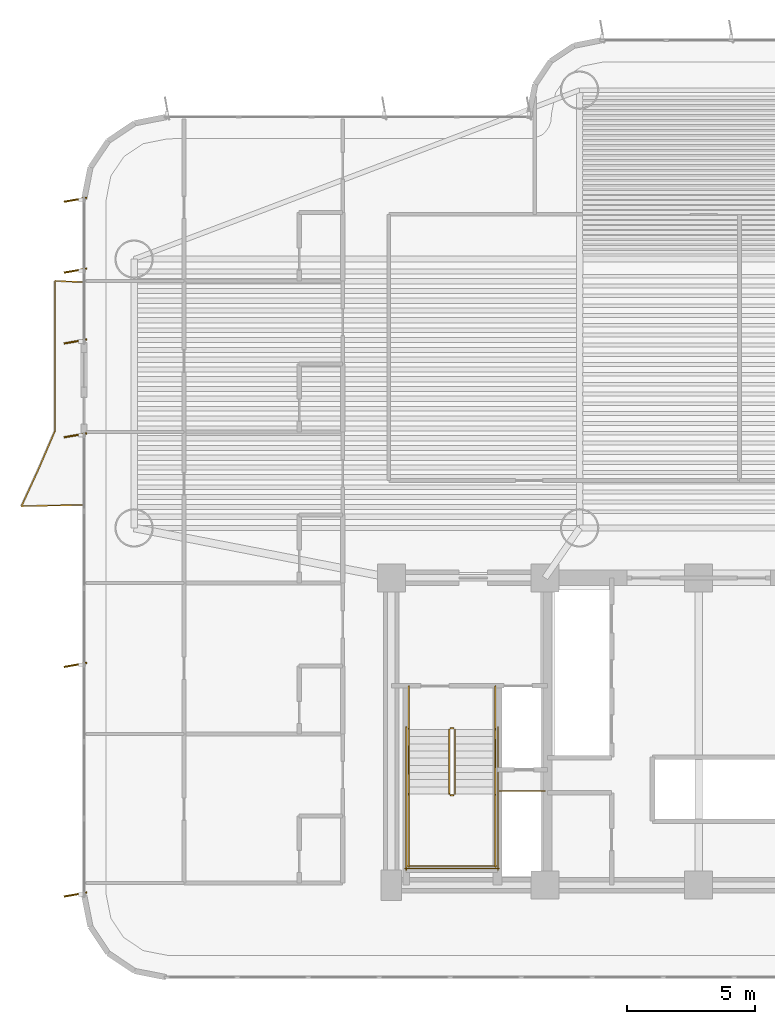
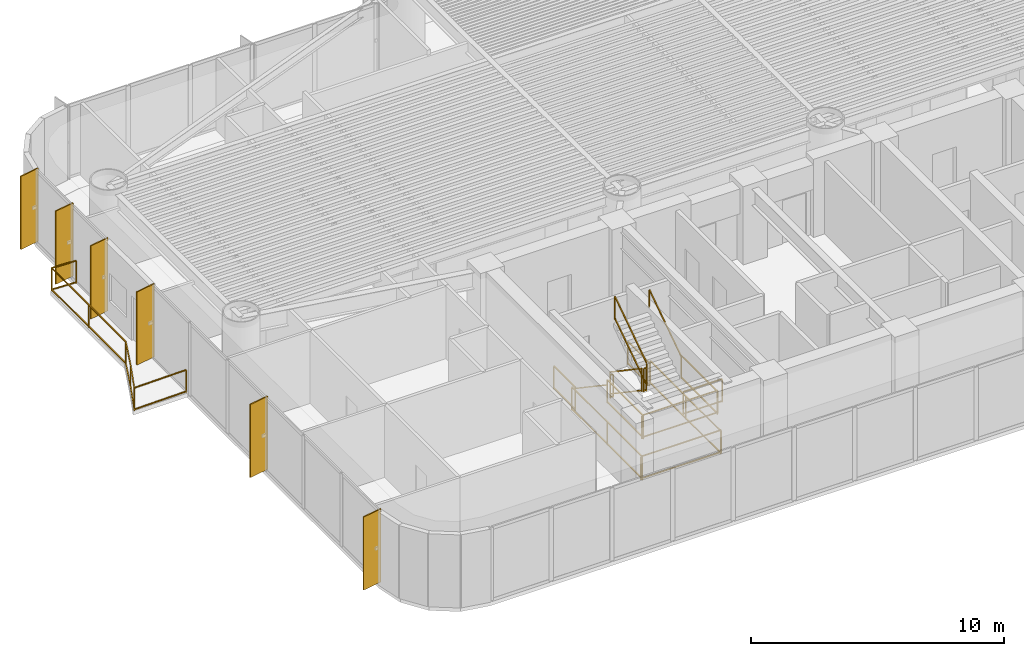
# One storey, part 15 of 18: 16 railings, 6 shading devices.
"""IFC4 building model written with IfcOpenShell, lengths in metres."""

from ifc_helpers import new_model, si_unit, direction, frame, origin, origin_2d, place, context, subcontext, project, spatial, rectangle, extrude, source, transform, mapped, material, layer, layer_set, material_profile, profile_set, type_object, element, save


model = new_model("IFC4")

# Units and contexts
model_context = context("Model", 3, precision=1e-05, world=origin(), true_north=direction((0.0, 1.0)))
body_context = subcontext(model_context, "Body", "Model", "MODEL_VIEW")
ifc_project = project(units=[si_unit("LENGTHUNIT", "METRE"), si_unit("AREAUNIT", "SQUARE_METRE"), si_unit("VOLUMEUNIT", "CUBIC_METRE"), si_unit("PLANEANGLEUNIT", "RADIAN"), si_unit("MASSUNIT", "GRAM", prefix="KILO")], contexts=[model_context])

# Site, building, storey
site_placement = place(None, origin())
site = spatial("IfcSite", under=ifc_project, at=site_placement, CompositionType="ELEMENT")
building_placement = place(site_placement, origin())
building = spatial("IfcBuilding", under=site, at=building_placement, Name="Brelvock Crest Care Tower", CompositionType="ELEMENT")
storey_placement = place(building_placement, frame((0.0, 0.0, 38.340087890625)))
storey = spatial("IfcBuildingStorey", under=building, at=storey_placement, Name="L09", CompositionType="ELEMENT", Elevation=38.340087890625)

# Railings
ifc_material_1 = material(Name="Dark Glass Double Glazed Low-E", Category="glass")
ifc_layer_1 = layer(ifc_material_1, 0.06005859375, Name="RL-BAL1")
ifc_layer_set_1 = layer_set([ifc_layer_1], Name="Dark Glass Double Glazed Low-E")
railing_type_1 = type_object("IfcRailingType", Name="RL-BAL1", PredefinedType="BALUSTRADE", material=ifc_layer_set_1)
railing_1_placement = place(storey_placement, frame((11.9599609375, 20.85009765625, 0.00390625)))
element("IfcRailing", 1, at=railing_1_placement, inside=storey, type_object=railing_type_1, Name="L09 Safety Balustrade WB-W", PredefinedType="BALUSTRADE", context=body_context, shape_type="SweptSolid", body=[
    extrude(rectangle(XDim=0.048095703125, YDim=0.048095703125, at=origin_2d()), frame((-0.001953125, 0.0, 1.09619140625), z_axis=(-0.999783452903, -0.020809788592, 0.0), x_axis=(0.020809788592, -0.999783452903, 0.0)), (0.0, 0.0, 1.0), 2.401123046875),
    extrude(rectangle(XDim=0.048095703125, YDim=0.048095703125, at=origin_2d()), frame((-0.001953125, 0.0, 0.054931640625), z_axis=(-0.999783452903, -0.020809788592, 0.0), x_axis=(0.020809788592, -0.999783452903, 0.0)), (0.0, 0.0, 1.0), 2.401123046875),
    extrude(rectangle(XDim=0.048095703125, YDim=0.048095703125, at=origin_2d()), frame((-2.40380859375, -0.04833984375, 1.09619140625), z_axis=(0.417503547282, 0.908675292944, 0.0), x_axis=(-0.908675292944, 0.417503547282, 0.0)), (0.0, 0.0, 1.0), 1.60986328125),
    extrude(rectangle(XDim=0.048095703125, YDim=0.048095703125, at=origin_2d()), frame((-2.40380859375, -0.04833984375, 0.054931640625), z_axis=(0.417503547282, 0.908675292944, 0.0), x_axis=(-0.908675292944, 0.417503547282, 0.0)), (0.0, 0.0, 1.0), 1.60986328125),
    extrude(rectangle(XDim=0.048095703125, YDim=0.048095703125, at=origin_2d()), frame((-1.72998046875, 1.41845703125, 1.09619140625), z_axis=(0.395100013248, 0.918638111299, 0.0), x_axis=(-0.918638111299, 0.395100013248, 0.0)), (0.0, 0.0, 1.0), 1.5927734375),
    extrude(rectangle(XDim=0.048095703125, YDim=0.048095703125, at=origin_2d()), frame((-1.72998046875, 1.41845703125, 0.054931640625), z_axis=(0.395100013248, 0.918638111299, 0.0), x_axis=(-0.918638111299, 0.395100013248, 0.0)), (0.0, 0.0, 1.0), 1.5927734375),
    extrude(rectangle(XDim=0.048095703125, YDim=0.048095703125, at=origin_2d()), frame((-1.099853515625, 2.88525390625, 1.09619140625), z_axis=(0.0, 1.0, 0.0), x_axis=(-1.0, 0.0, 0.0)), (0.0, 0.0, 1.0), 5.86279296875),
    extrude(rectangle(XDim=0.048095703125, YDim=0.048095703125, at=origin_2d()), frame((-1.099853515625, 2.88525390625, 0.054931640625), z_axis=(0.0, 1.0, 0.0), x_axis=(-1.0, 0.0, 0.0)), (0.0, 0.0, 1.0), 5.86279296875),
    extrude(rectangle(XDim=0.048095703125, YDim=0.048095703125, at=origin_2d()), frame((-1.097900390625, 8.75, 1.09619140625), z_axis=(0.998966252902, -0.045457953795, 0.0), x_axis=(0.045457953795, 0.998966252902, 0.0)), (0.0, 0.0, 1.0), 1.096923828125),
    extrude(rectangle(XDim=0.048095703125, YDim=0.048095703125, at=origin_2d()), frame((-1.097900390625, 8.75, 0.054931640625), z_axis=(0.998966252902, -0.045457953795, 0.0), x_axis=(0.045457953795, 0.998966252902, 0.0)), (0.0, 0.0, 1.0), 1.096923828125),
    extrude(rectangle(XDim=0.0419921875, YDim=0.0419921875, at=origin_2d()), origin(), (0.0, 0.0, 1.0), 1.070068359375),
    extrude(rectangle(XDim=0.0419921875, YDim=0.0419921875, at=origin_2d()), frame((-2.404541015625, -0.050048828125, 0.0)), (0.0, 0.0, 1.0), 1.070068359375),
    extrude(rectangle(XDim=0.0419921875, YDim=0.0419921875, at=origin_2d()), frame((-1.730712890625, 1.41650390625, 0.0)), (0.0, 0.0, 1.0), 1.070068359375),
    extrude(rectangle(XDim=0.0419921875, YDim=0.0419921875, at=origin_2d()), frame((-1.099853515625, 2.88330078125, 0.0)), (0.0, 0.0, 1.0), 1.070068359375),
    extrude(rectangle(XDim=0.0419921875, YDim=0.0419921875, at=origin_2d()), frame((-1.099853515625, 5.816650390625, 0.0)), (0.0, 0.0, 1.0), 1.070068359375),
    extrude(rectangle(XDim=0.0419921875, YDim=0.0419921875, at=origin_2d()), frame((-1.099853515625, 8.75, 0.0)), (0.0, 0.0, 1.0), 1.070068359375),
    extrude(rectangle(XDim=0.0419921875, YDim=0.0419921875, at=origin_2d()), frame((0.0, 8.699951171875, 0.0)), (0.0, 0.0, 1.0), 1.070068359375),
])
ifc_material_2 = material(Name="Steel Grade 350", Category="steel")
ifc_layer_2 = layer(ifc_material_2, 0.050048828125, Name="RL-STG1")
ifc_layer_set_2 = layer_set([ifc_layer_2], Name="Steel Grade 350")
railing_type_2 = type_object("IfcRailingType", Name="RL-STG1", PredefinedType="GUARDRAIL", material=ifc_layer_set_2)
railing_2_placement = place(storey_placement, frame((26.260009765625, 12.080078125, 0.18896484375)))
element("IfcRailing", 2, at=railing_2_placement, inside=storey, type_object=railing_type_2, Name="L09 ST-1 stair guard 1", PredefinedType="GUARDRAIL", context=body_context, shape_type="SweptSolid", body=[
    extrude(rectangle(XDim=0.048095703125, YDim=0.048095703125, at=origin_2d()), frame((0.0, -0.001708984375, 1.116943359375), z_axis=(0.0, -0.828861706735, 0.559453546873), x_axis=(1.0, 0.0, 0.0)), (0.0, 0.0, 1.0), 3.036376953125),
    extrude(rectangle(XDim=0.048095703125, YDim=0.048095703125, at=origin_2d()), frame((0.0, -0.001708984375, 0.05615234375), z_axis=(0.0, -0.828861706735, 0.559453546873), x_axis=(1.0, 0.0, 0.0)), (0.0, 0.0, 1.0), 3.036376953125),
    extrude(rectangle(XDim=0.0419921875, YDim=0.0419921875, at=origin_2d()), origin(), (0.0, 0.0, 1.0), 1.08984375),
    extrude(rectangle(XDim=0.0419921875, YDim=0.0419921875, at=origin_2d()), frame((0.0, -2.52001953125, 1.700927734375)), (0.0, 0.0, 1.0), 1.08984375),
])
railing_3_placement = place(storey_placement, frame((26.31005859375, 9.510009765625, 1.889892578125)))
element("IfcRailing", 3, at=railing_3_placement, inside=storey, type_object=railing_type_2, Name="L09 ST-1 stair guard 2", PredefinedType="GUARDRAIL", context=body_context, shape_type="SweptSolid", body=[
    extrude(rectangle(XDim=0.048095703125, YDim=0.048095703125, at=origin_2d()), frame((0.001953125, 0.0, 1.11572265625), z_axis=(1.0, 0.0, 0.0), x_axis=(0.0, 1.0, 0.0)), (0.0, 0.0, 1.0), 0.115966796875),
    extrude(rectangle(XDim=0.048095703125, YDim=0.048095703125, at=origin_2d()), frame((0.001953125, 0.0, 0.054931640625), z_axis=(1.0, 0.0, 0.0), x_axis=(0.0, 1.0, 0.0)), (0.0, 0.0, 1.0), 0.115966796875),
    extrude(rectangle(XDim=0.0419921875, YDim=0.0419921875, at=origin_2d()), origin(), (0.0, 0.0, 1.0), 1.08984375),
    extrude(rectangle(XDim=0.0419921875, YDim=0.0419921875, at=origin_2d()), frame((0.119873046875, 0.0, 0.0)), (0.0, 0.0, 1.0), 1.08984375),
])
for number, where, name in (
    (4, (24.679931640625, 9.56005859375, 1.889892578125), "L09 ST-1 stair guard 3"),
    (5, (28.06005859375, 9.56005859375, 1.889892578125), "L09 ST-1 stair guard 4"),
):
    element("IfcRailing", number, at=place(storey_placement, frame(where)), inside=storey, type_object=railing_type_2, Name=name, PredefinedType="GUARDRAIL", context=body_context, shape_type="SweptSolid", body=[
        extrude(rectangle(XDim=0.048095703125, YDim=0.048095703125, at=origin_2d()), frame((0.0, -0.001953125, 1.11572265625), z_axis=(0.0, -1.0, 0.0), x_axis=(1.0, 0.0, 0.0)), (0.0, 0.0, 1.0), 2.856201171875),
        extrude(rectangle(XDim=0.048095703125, YDim=0.048095703125, at=origin_2d()), frame((0.0, -0.001953125, 0.054931640625), z_axis=(0.0, -1.0, 0.0), x_axis=(1.0, 0.0, 0.0)), (0.0, 0.0, 1.0), 2.856201171875),
        extrude(rectangle(XDim=0.0419921875, YDim=0.0419921875, at=origin_2d()), origin(), (0.0, 0.0, 1.0), 1.08984375),
        extrude(rectangle(XDim=0.0419921875, YDim=0.0419921875, at=origin_2d()), frame((0.0, -2.860107421875, 0.0)), (0.0, 0.0, 1.0), 1.08984375),
    ])
railing_4_placement = place(storey_placement, frame((24.6298828125, 6.75, 1.889892578125)))
element("IfcRailing", 6, at=railing_4_placement, inside=storey, type_object=railing_type_2, Name="L09 ST-1 stair guard 5", PredefinedType="GUARDRAIL", context=body_context, shape_type="SweptSolid", body=[
    extrude(rectangle(XDim=0.048095703125, YDim=0.048095703125, at=origin_2d()), frame((0.001953125, 0.0, 1.11572265625), z_axis=(1.0, 0.0, 0.0), x_axis=(0.0, 1.0, 0.0)), (0.0, 0.0, 1.0), 3.476318359375),
    extrude(rectangle(XDim=0.048095703125, YDim=0.048095703125, at=origin_2d()), frame((0.001953125, 0.0, 0.054931640625), z_axis=(1.0, 0.0, 0.0), x_axis=(0.0, 1.0, 0.0)), (0.0, 0.0, 1.0), 3.476318359375),
    extrude(rectangle(XDim=0.0419921875, YDim=0.0419921875, at=origin_2d()), origin(), (0.0, 0.0, 1.0), 1.08984375),
    extrude(rectangle(XDim=0.0419921875, YDim=0.0419921875, at=origin_2d()), frame((3.480224609375, 0.0, 0.0)), (0.0, 0.0, 1.0), 1.08984375),
])
railing_5_placement = place(storey_placement, frame((26.47998046875, 9.56005859375, 2.078857421875)))
element("IfcRailing", 7, at=railing_5_placement, inside=storey, type_object=railing_type_2, Name="L09 ST-1 stair guard 6", PredefinedType="GUARDRAIL", context=body_context, shape_type="SweptSolid", body=[
    extrude(rectangle(XDim=0.048095703125, YDim=0.048095703125, at=origin_2d()), frame((0.0, 0.001708984375, 1.116943359375), z_axis=(0.0, 0.82882447046, 0.559508710537), x_axis=(-1.0, 0.0, 0.0)), (0.0, 0.0, 1.0), 3.036376953125),
    extrude(rectangle(XDim=0.048095703125, YDim=0.048095703125, at=origin_2d()), frame((0.0, 0.001708984375, 0.05615234375), z_axis=(0.0, 0.82882447046, 0.559508710537), x_axis=(-1.0, 0.0, 0.0)), (0.0, 0.0, 1.0), 3.036376953125),
    extrude(rectangle(XDim=0.0419921875, YDim=0.0419921875, at=origin_2d()), origin(), (0.0, 0.0, 1.0), 1.08984375),
    extrude(rectangle(XDim=0.0419921875, YDim=0.0419921875, at=origin_2d()), frame((0.0, 2.52001953125, 1.701171875)), (0.0, 0.0, 1.0), 1.08984375),
])
railing_6_placement = place(storey_placement, frame((26.31005859375, 12.1298828125, 0.0)))
element("IfcRailing", 8, at=railing_6_placement, inside=storey, type_object=railing_type_2, Name="L09 ST-1 stair guard 7", PredefinedType="GUARDRAIL", context=body_context, shape_type="SweptSolid", body=[
    extrude(rectangle(XDim=0.048095703125, YDim=0.048095703125, at=origin_2d()), frame((0.001953125, 0.0, 1.11572265625), z_axis=(1.0, 0.0, 0.0), x_axis=(0.0, 1.0, 0.0)), (0.0, 0.0, 1.0), 0.115966796875),
    extrude(rectangle(XDim=0.048095703125, YDim=0.048095703125, at=origin_2d()), frame((0.001953125, 0.0, 0.054931640625), z_axis=(1.0, 0.0, 0.0), x_axis=(0.0, 1.0, 0.0)), (0.0, 0.0, 1.0), 0.115966796875),
    extrude(rectangle(XDim=0.0419921875, YDim=0.0419921875, at=origin_2d()), origin(), (0.0, 0.0, 1.0), 1.08984375),
    extrude(rectangle(XDim=0.0419921875, YDim=0.0419921875, at=origin_2d()), frame((0.119873046875, 0.0, 0.0)), (0.0, 0.0, 1.0), 1.08984375),
])
for number, where, name in (
    (9, (24.679931640625, 13.780029296875, 0.0), "L09 ST-1 stair guard 8"),
    (10, (28.06005859375, 13.780029296875, 0.0), "L09 ST-1 stair guard 9"),
):
    element("IfcRailing", number, at=place(storey_placement, frame(where)), inside=storey, type_object=railing_type_2, Name=name, PredefinedType="GUARDRAIL", context=body_context, shape_type="SweptSolid", body=[
        extrude(rectangle(XDim=0.048095703125, YDim=0.048095703125, at=origin_2d()), frame((0.0, -0.001953125, 1.11572265625), z_axis=(0.0, -1.0, 0.0), x_axis=(1.0, 0.0, 0.0)), (0.0, 0.0, 1.0), 1.696044921875),
        extrude(rectangle(XDim=0.048095703125, YDim=0.048095703125, at=origin_2d()), frame((0.0, -0.001953125, 0.054931640625), z_axis=(0.0, -1.0, 0.0), x_axis=(1.0, 0.0, 0.0)), (0.0, 0.0, 1.0), 1.696044921875),
        extrude(rectangle(XDim=0.0419921875, YDim=0.0419921875, at=origin_2d()), origin(), (0.0, 0.0, 1.0), 1.08984375),
        extrude(rectangle(XDim=0.0419921875, YDim=0.0419921875, at=origin_2d()), frame((0.0, -1.699951171875, 0.0)), (0.0, 0.0, 1.0), 1.08984375),
    ])
for number, where, name in (
    (11, (24.580078125, 12.179931640625, 0.0), "L09 ST-1 stair guard 10"),
    (12, (28.159912109375, 12.179931640625, 0.0), "L09 ST-1 stair guard 11"),
):
    element("IfcRailing", number, at=place(storey_placement, frame(where)), inside=storey, type_object=railing_type_2, Name=name, PredefinedType="GUARDRAIL", context=body_context, shape_type="SweptSolid", body=[
        extrude(rectangle(XDim=0.048095703125, YDim=0.048095703125, at=origin_2d()), frame((0.0, -0.001953125, 1.11572265625), z_axis=(0.0, -1.0, 0.0), x_axis=(1.0, 0.0, 0.0)), (0.0, 0.0, 1.0), 5.575927734375),
        extrude(rectangle(XDim=0.048095703125, YDim=0.048095703125, at=origin_2d()), frame((0.0, -0.001953125, 0.054931640625), z_axis=(0.0, -1.0, 0.0), x_axis=(1.0, 0.0, 0.0)), (0.0, 0.0, 1.0), 5.575927734375),
        extrude(rectangle(XDim=0.0419921875, YDim=0.0419921875, at=origin_2d()), origin(), (0.0, 0.0, 1.0), 1.08984375),
        extrude(rectangle(XDim=0.0419921875, YDim=0.0419921875, at=origin_2d()), frame((0.0, -2.7900390625, 0.0)), (0.0, 0.0, 1.0), 1.08984375),
        extrude(rectangle(XDim=0.0419921875, YDim=0.0419921875, at=origin_2d()), frame((0.0, -5.579833984375, 0.0)), (0.0, 0.0, 1.0), 1.08984375),
    ])
railing_7_placement = place(storey_placement, frame((24.530029296875, 6.64990234375, 0.0)))
element("IfcRailing", 13, at=railing_7_placement, inside=storey, type_object=railing_type_2, Name="L09 ST-1 stair guard 12", PredefinedType="GUARDRAIL", context=body_context, shape_type="SweptSolid", body=[
    extrude(rectangle(XDim=0.048095703125, YDim=0.048095703125, at=origin_2d()), frame((0.001953125, 0.0, 1.11572265625), z_axis=(1.0, 0.0, 0.0), x_axis=(0.0, 1.0, 0.0)), (0.0, 0.0, 1.0), 3.676025390625),
    extrude(rectangle(XDim=0.048095703125, YDim=0.048095703125, at=origin_2d()), frame((0.001953125, 0.0, 0.054931640625), z_axis=(1.0, 0.0, 0.0), x_axis=(0.0, 1.0, 0.0)), (0.0, 0.0, 1.0), 3.676025390625),
    extrude(rectangle(XDim=0.0419921875, YDim=0.0419921875, at=origin_2d()), origin(), (0.0, 0.0, 1.0), 1.08984375),
    extrude(rectangle(XDim=0.0419921875, YDim=0.0419921875, at=origin_2d()), frame((3.679931640625, 0.0, 0.0)), (0.0, 0.0, 1.0), 1.08984375),
])
railing_8_placement = place(storey_placement, frame((28.219970703125, 9.679931640625, 0.0)))
element("IfcRailing", 14, at=railing_8_placement, inside=storey, type_object=railing_type_2, Name="L09 Fire Riser Threshold Guard", PredefinedType="GUARDRAIL", context=body_context, shape_type="SweptSolid", body=[
    extrude(rectangle(XDim=0.048095703125, YDim=0.048095703125, at=origin_2d()), frame((0.001953125, 0.0, 1.11572265625), z_axis=(1.0, 0.0, 0.0), x_axis=(0.0, 1.0, 0.0)), (0.0, 0.0, 1.0), 1.776123046875),
    extrude(rectangle(XDim=0.048095703125, YDim=0.048095703125, at=origin_2d()), frame((0.001953125, 0.0, 0.054931640625), z_axis=(1.0, 0.0, 0.0), x_axis=(0.0, 1.0, 0.0)), (0.0, 0.0, 1.0), 1.776123046875),
    extrude(rectangle(XDim=0.0419921875, YDim=0.0419921875, at=origin_2d()), origin(), (0.0, 0.0, 1.0), 1.08984375),
    extrude(rectangle(XDim=0.0419921875, YDim=0.0419921875, at=origin_2d()), frame((1.780029296875, 0.0, 0.0)), (0.0, 0.0, 1.0), 1.08984375),
])
ifc_layer_3 = layer(ifc_material_2, 0.048095703125, Name="RL-STH1")
ifc_layer_set_3 = layer_set([ifc_layer_3], Name="Steel Grade 350")
railing_type_3 = type_object("IfcRailingType", Name="RL-STH1", PredefinedType="HANDRAIL", material=ifc_layer_set_3)
railing_9_placement = place(storey_placement, frame((24.679931640625, 12.080078125, 0.18896484375)))
element("IfcRailing", 15, at=railing_9_placement, inside=storey, type_object=railing_type_3, Name="L09 ST-1 stair handrail 1", PredefinedType="HANDRAIL", context=body_context, shape_type="SweptSolid", body=[
    extrude(rectangle(XDim=0.048095703125, YDim=0.048095703125, at=origin_2d()), frame((0.0, -0.001708984375, 0.876953125), z_axis=(0.0, -0.828861706735, 0.559453546873), x_axis=(1.0, 0.0, 0.0)), (0.0, 0.0, 1.0), 3.036376953125),
    extrude(rectangle(XDim=0.0419921875, YDim=0.0419921875, at=origin_2d()), origin(), (0.0, 0.0, 1.0), 0.849853515625),
    extrude(rectangle(XDim=0.0419921875, YDim=0.0419921875, at=origin_2d()), frame((0.0, -2.52001953125, 1.700927734375)), (0.0, 0.0, 1.0), 0.849853515625),
])
railing_10_placement = place(storey_placement, frame((28.06005859375, 9.56005859375, 2.078857421875)))
element("IfcRailing", 16, at=railing_10_placement, inside=storey, type_object=railing_type_3, Name="L09 ST-1 stair handrail 2", PredefinedType="HANDRAIL", context=body_context, shape_type="SweptSolid", body=[
    extrude(rectangle(XDim=0.048095703125, YDim=0.048095703125, at=origin_2d()), frame((0.0, 0.001708984375, 0.876953125), z_axis=(0.0, 0.82882447046, 0.559508710537), x_axis=(-1.0, 0.0, 0.0)), (0.0, 0.0, 1.0), 3.036376953125),
    extrude(rectangle(XDim=0.0419921875, YDim=0.0419921875, at=origin_2d()), origin(), (0.0, 0.0, 1.0), 0.849853515625),
    extrude(rectangle(XDim=0.0419921875, YDim=0.0419921875, at=origin_2d()), frame((0.0, 2.52001953125, 1.701171875)), (0.0, 0.0, 1.0), 0.849853515625),
])

# Shading devices
ifc_material_3 = material(Name="Aluminium 6063-T6", Category="aluminium")
ifc_material_profile = material_profile(ifc_material_3, rectangle(XDim=0.054931640625, YDim=0.89990234375, at=origin_2d()), Name="FIN55x900")
ifc_profile_set = profile_set([ifc_material_profile], Name="Aluminium 6063-T6")
shading_device_type = type_object("IfcShadingDeviceType", Name="SHD-FIN1", PredefinedType="USERDEFINED", material=ifc_profile_set)
shared_shape = source(origin(), body_context, "Body", "SweptSolid", [
    extrude(rectangle(XDim=0.054931640625, YDim=0.89990234375, at=origin_2d()), origin(), (0.0, 0.0, 1.0), 3.530029296875),
])
for number, where, z_axis, x_axis, name in (
    (17, (11.659912109375, 5.632568359375, 0.0), (0.0, 0.0, 1.0), (-0.173648177667, 0.984807753012, 0.0), "L09 Vertical Sunshade Fin E13A-01"),
    (18, (11.659912109375, 14.60009765625, 0.0), (0.0, 0.0, 1.0), (-0.173648177667, 0.984807753012, 0.0), "L09 Vertical Sunshade Fin E13A-04"),
    (19, (11.659912109375, 23.5673828125, 0.0), (0.0, 0.0, 1.0), (-0.173648177667, 0.984807753012, 0.0), "L09 Vertical Sunshade Fin E13A-07"),
    (20, (11.659912109375, 27.232421875, 0.0), (0.0, 0.0, 1.0), (-0.173648177667, 0.984807753012, 0.0), "L09 Vertical Sunshade Fin E13B-01"),
    (21, (11.659912109375, 30.0, 0.0), (0.0, 0.0, 1.0), (-0.173648177667, 0.984807753012, 0.0), "L09 Vertical Sunshade Fin E13B-02"),
    (22, (11.659912109375, 32.767578125, 0.0), (0.0, 0.0, 1.0), (-0.173648177667, 0.984807753012, 0.0), "L09 Vertical Sunshade Fin E13B-03"),
):
    element("IfcShadingDevice", number, at=place(storey_placement, frame(where, z_axis=z_axis, x_axis=x_axis)), inside=storey, type_object=shading_device_type, Name=name, ObjectType="FIN", PredefinedType="USERDEFINED", context=body_context, shape_type="MappedRepresentation", body=[
        mapped(shared_shape, transform((0.0, 0.0, 0.0), x_axis=(1.0, 0.0, 0.0), y_axis=(0.0, 1.0, 0.0), z_axis=(0.0, 0.0, 1.0), scale=1.0)),
    ])

save(model, "model.ifc")
